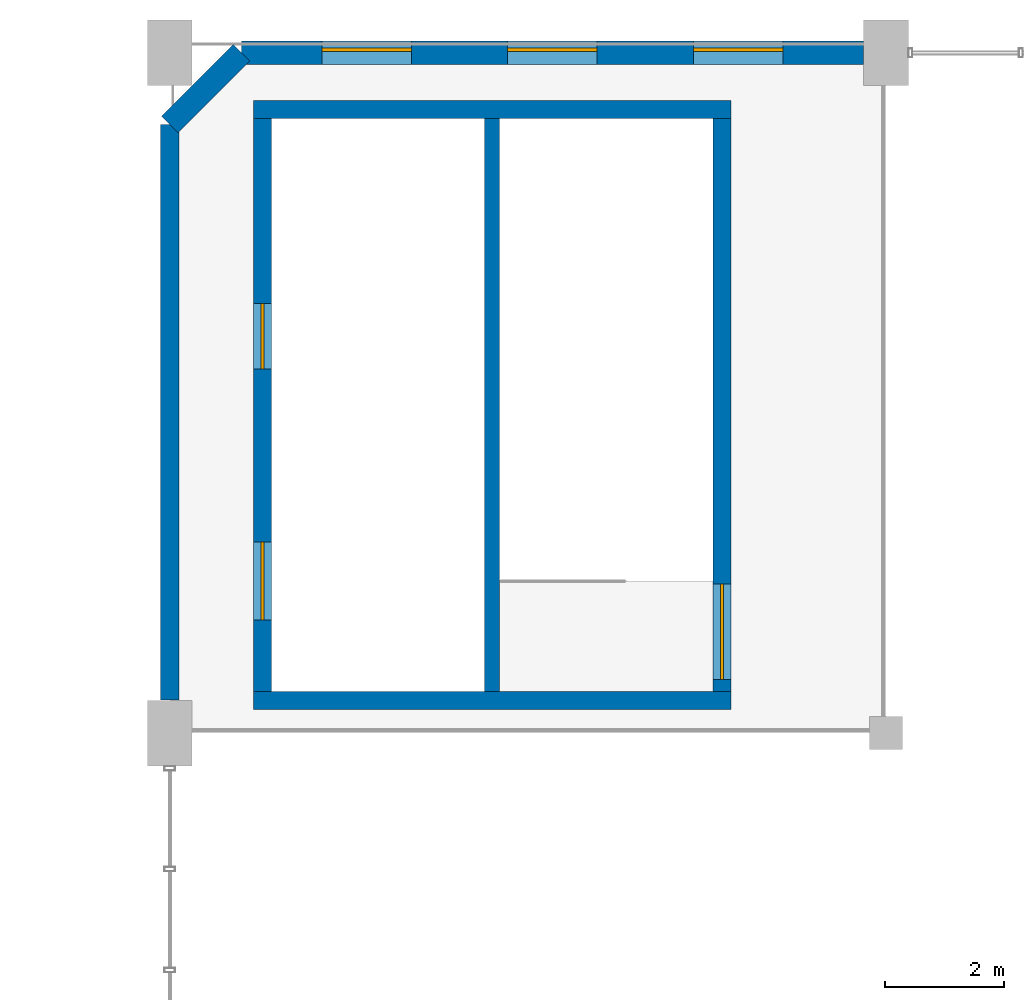
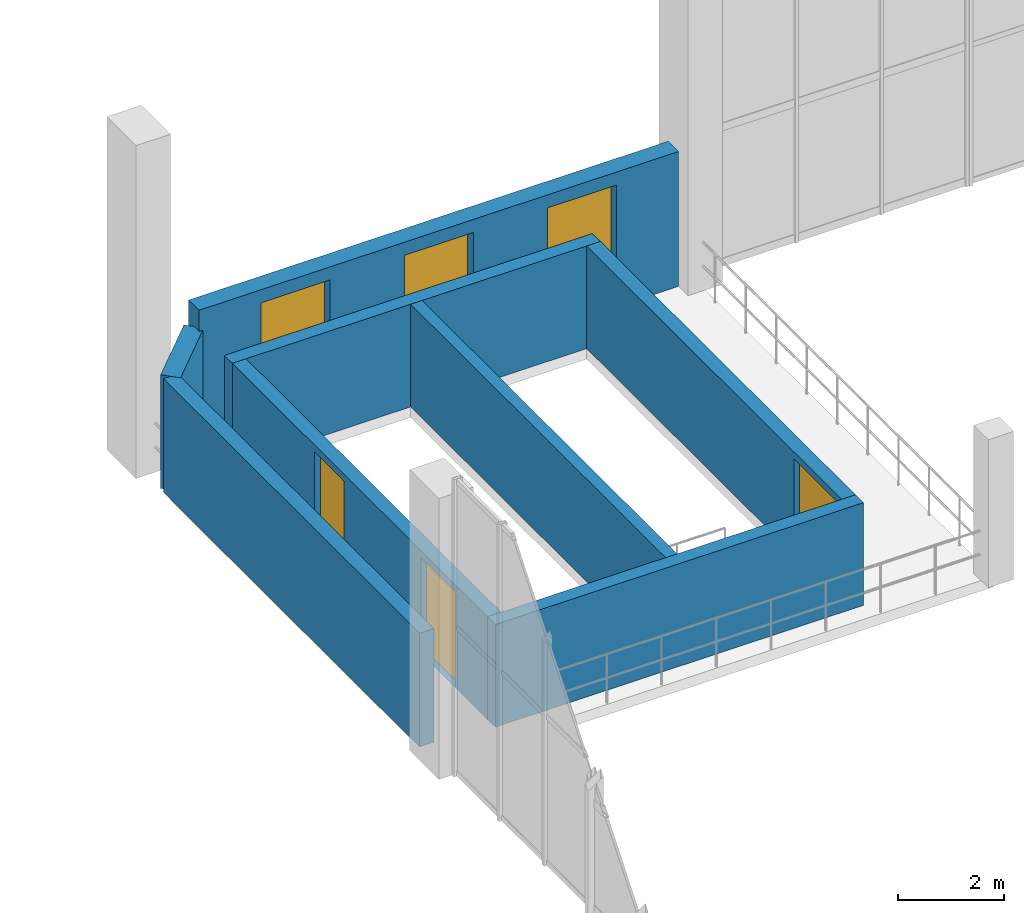
# One storey, part 25 of 28: 8 walls, 3 doors, 3 windows, 6 openings.
"""IFC4 building model written with IfcOpenShell, lengths in metres."""

from ifc_helpers import new_model, si_unit, direction, frame, frame_2d, origin, place, context, subcontext, project, spatial, rectangle, extrude, material, layer, layer_set, type_object, element, fill, save


model = new_model("IFC4")

# Units and contexts
model_context = context("Model", 3, precision=1e-05, world=origin(), true_north=direction((0.0, 1.0)))
body_context = subcontext(model_context, "Body", "Model", "MODEL_VIEW")
ifc_project = project(units=[si_unit("LENGTHUNIT", "METRE"), si_unit("AREAUNIT", "SQUARE_METRE"), si_unit("VOLUMEUNIT", "CUBIC_METRE"), si_unit("PLANEANGLEUNIT", "RADIAN"), si_unit("MASSUNIT", "GRAM", prefix="KILO"), si_unit("POWERUNIT", "WATT"), si_unit("THERMODYNAMICTEMPERATUREUNIT", "KELVIN")], contexts=[model_context])

# Site, building, storey
site_placement = place(None, origin())
site = spatial("IfcSite", under=ifc_project, at=site_placement, CompositionType="ELEMENT")
building_placement = place(site_placement, origin())
building = spatial("IfcBuilding", under=site, at=building_placement, Name="Kelmbourne Parkland Aquatics Centre", CompositionType="ELEMENT")
storey_placement = place(building_placement, frame((0.0, 0.0, 19.199951171875)))
storey = spatial("IfcBuildingStorey", under=building, at=storey_placement, Name="L04", CompositionType="ELEMENT", Elevation=19.199951171875)

# Walls
ifc_material_1 = material(Name="Concrete C40/50", Category="concrete")
ifc_layer_1 = layer(ifc_material_1, 0.25)
ifc_layer_set_1 = layer_set([ifc_layer_1], Name="Concrete C40/50")
wall_type_1 = type_object("IfcWallType", Name="W-CORE-250", PredefinedType="SHEAR", material=ifc_layer_set_1)
wall_1_placement = place(storey_placement, frame((133.39990234375, 104.10009765625, 0.0), z_axis=(0.0, 0.0, 1.0), x_axis=(0.0, 1.0, 0.0)))
element("IfcWall", 1, at=wall_1_placement, inside=storey, type_object=wall_type_1, Name="North Diving Control Fire-Fighting Core divider wall (L04)", PredefinedType="SHEAR", context=body_context, shape_type="SweptSolid", body=[
    extrude(rectangle(XDim=9.599853515625, YDim=0.25, at=frame_2d((4.7998046875, 0.0))), origin(), (0.0, 0.0, 1.0), 2.360107421875),
])
ifc_layer_2 = layer(ifc_material_1, 0.300048828125)
ifc_layer_set_2 = layer_set([ifc_layer_2], Name="Concrete C40/50")
wall_type_2 = type_object("IfcWallType", Name="W-CORE-300", PredefinedType="SHEAR", material=ifc_layer_set_2)
for number, where, z_axis, x_axis, name in (
    (2, (129.39990234375, 103.949951171875, 0.0), (0.0, 0.0, 1.0), (1.0, 0.0, 0.0), "North Diving Control Fire-Fighting Core south wall (L04)"),
    (3, (129.39990234375, 113.85009765625, 0.0), (0.0, 0.0, 1.0), (1.0, 0.0, 0.0), "North Diving Control Fire-Fighting Core north wall (L04)"),
):
    element("IfcWall", number, at=place(storey_placement, frame(where, z_axis=z_axis, x_axis=x_axis)), inside=storey, type_object=wall_type_2, Name=name, PredefinedType="SHEAR", context=body_context, shape_type="SweptSolid", body=[
        extrude(rectangle(XDim=8.0, YDim=0.300048828125, at=frame_2d((4.0, 0.0))), origin(), (0.0, 0.0, 1.0), 2.360107421875),
    ])

# Wall, openings, doors
wall_2_placement = place(storey_placement, frame((129.550048828125, 104.10009765625, 0.0), z_axis=(0.0, 0.0, 1.0), x_axis=(0.0, 1.0, 0.0)))
wall_2 = element("IfcWall", 4, at=wall_2_placement, inside=storey, type_object=wall_type_2, Name="North Diving Control Fire-Fighting Core west wall (L04)", PredefinedType="SHEAR", context=body_context, shape_type="SweptSolid", body=[
    extrude(rectangle(XDim=9.599853515625, YDim=0.300048828125, at=frame_2d((4.7998046875, 0.0))), origin(), (0.0, 0.0, 1.0), 2.360107421875),
])
opening_1_placement = place(wall_2_placement, frame((1.199951171875, 0.0, 0.0)))
opening_1 = element("IfcOpeningElement", 5, at=opening_1_placement, cuts=wall_2, Name="Opening LD02", PredefinedType="OPENING", context=body_context, shape_type="SweptSolid", body=[
    extrude(rectangle(XDim=1.300048828125, YDim=2.199951171875, at=frame_2d((0.64990234375, 1.10009765625))), frame((0.0, 0.162109375, 0.0), z_axis=(0.0, -1.0, 0.0), x_axis=(1.0, 0.0, 0.0)), (0.0, 0.0, 1.0), 0.323974609375),
])
opening_2_placement = place(wall_2_placement, frame((5.39990234375, 0.0, 0.0)))
opening_2 = element("IfcOpeningElement", 6, at=opening_2_placement, cuts=wall_2, Name="Opening LD01", PredefinedType="OPENING", context=body_context, shape_type="SweptSolid", body=[
    extrude(rectangle(XDim=1.10009765625, YDim=2.199951171875, at=frame_2d((0.550048828125, 1.10009765625))), frame((0.0, 0.162109375, 0.0), z_axis=(0.0, -1.0, 0.0), x_axis=(1.0, 0.0, 0.0)), (0.0, 0.0, 1.0), 0.323974609375),
])
ifc_material_2 = material(Name="Marine-grade stainless steel and fire-rated hardwood doorset", Category="steel")
ifc_layer_3 = layer(ifc_material_2, 0.050048828125)
ifc_layer_set_3 = layer_set([ifc_layer_3], Name="Marine-grade stainless steel and fire-rated hardwood doorset")
door_type_1 = type_object("IfcDoorType", Name="DR-LD-110", OperationType="NOTDEFINED", PredefinedType="DOOR", material=ifc_layer_set_3)
door_1_placement = place(opening_2_placement, origin())
door_1 = element("IfcDoor", 7, at=door_1_placement, inside=storey, type_object=door_type_1, Name="Lift landing sliding door LF08 (L04)", OperationType="SLIDING_TO_RIGHT", OverallHeight=2.199951171875, OverallWidth=1.10009765625, PredefinedType="DOOR", context=body_context, shape_type="SweptSolid", body=[
    extrude(rectangle(XDim=1.10009765625, YDim=2.199951171875, at=frame_2d((0.550048828125, 1.10009765625))), frame((0.0, 0.02490234375, 0.0), z_axis=(0.0, -1.0, 0.0), x_axis=(1.0, 0.0, 0.0)), (0.0, 0.0, 1.0), 0.050048828125),
])
fill(opening_2, door_1)
ifc_layer_4 = layer(ifc_material_2, 0.050048828125)
ifc_layer_set_4 = layer_set([ifc_layer_4], Name="Marine-grade stainless steel and fire-rated hardwood doorset")
door_type_2 = type_object("IfcDoorType", Name="DR-LD-130", OperationType="NOTDEFINED", PredefinedType="DOOR", material=ifc_layer_set_4)
door_2_placement = place(opening_1_placement, origin())
door_2 = element("IfcDoor", 8, at=door_2_placement, inside=storey, type_object=door_type_2, Name="Lift landing sliding door LF07 (L04)", OperationType="SLIDING_TO_LEFT", OverallHeight=2.199951171875, OverallWidth=1.300048828125, PredefinedType="DOOR", context=body_context, shape_type="SweptSolid", body=[
    extrude(rectangle(XDim=1.300048828125, YDim=2.199951171875, at=frame_2d((0.64990234375, 1.10009765625))), frame((0.0, 0.02490234375, 0.0), z_axis=(0.0, -1.0, 0.0), x_axis=(1.0, 0.0, 0.0)), (0.0, 0.0, 1.0), 0.050048828125),
])
fill(opening_1, door_2)

# Wall, opening, door
wall_3_placement = place(storey_placement, frame((137.25, 104.10009765625, 0.0), z_axis=(0.0, 0.0, 1.0), x_axis=(0.0, 1.0, 0.0)))
wall_3 = element("IfcWall", 9, at=wall_3_placement, inside=storey, type_object=wall_type_2, Name="North Diving Control Fire-Fighting Core east wall (L04)", PredefinedType="SHEAR", context=body_context, shape_type="SweptSolid", body=[
    extrude(rectangle(XDim=9.599853515625, YDim=0.300048828125, at=frame_2d((4.7998046875, 0.0))), origin(), (0.0, 0.0, 1.0), 2.360107421875),
])
opening_3_placement = place(wall_3_placement, frame((0.199951171875, 0.0, 0.0)))
opening_3 = element("IfcOpeningElement", 10, at=opening_3_placement, cuts=wall_3, Name="Opening FD02", PredefinedType="OPENING", context=body_context, shape_type="SweptSolid", body=[
    extrude(rectangle(XDim=1.60009765625, YDim=2.199951171875, at=frame_2d((0.800048828125, 1.10009765625))), frame((0.0, 0.162109375, 0.0), z_axis=(0.0, -1.0, 0.0), x_axis=(1.0, 0.0, 0.0)), (0.0, 0.0, 1.0), 0.323974609375),
])
ifc_layer_5 = layer(ifc_material_2, 0.050048828125)
ifc_layer_set_5 = layer_set([ifc_layer_5], Name="Marine-grade stainless steel and fire-rated hardwood doorset")
door_type_3 = type_object("IfcDoorType", Name="DR-FD-160", OperationType="NOTDEFINED", PredefinedType="DOOR", material=ifc_layer_set_5)
door_3_placement = place(opening_3_placement, frame((1.60009765625, 0.0, 0.0), z_axis=(0.0, 0.0, 1.0), x_axis=(-1.0, 0.0, 0.0)))
door_3 = element("IfcDoor", 11, at=door_3_placement, inside=storey, type_object=door_type_3, Name="Fire stair door ST05 (L04)", OperationType="DOUBLE_DOOR_SINGLE_SWING", OverallHeight=2.199951171875, OverallWidth=1.60009765625, PredefinedType="DOOR", context=body_context, shape_type="SweptSolid", body=[
    extrude(rectangle(XDim=1.60009765625, YDim=2.199951171875, at=frame_2d((0.800048828125, 1.10009765625))), frame((0.0, 0.02490234375, 0.0), z_axis=(0.0, -1.0, 0.0), x_axis=(1.0, 0.0, 0.0)), (0.0, 0.0, 1.0), 0.050048828125),
])
fill(opening_3, door_3)

# Wall
ifc_material_3 = material(Name="Russet clinker clay brickwork", Category="masonry")
ifc_layer_6 = layer(ifc_material_3, 0.31005859375)
ifc_layer_set_6 = layer_set([ifc_layer_6], Name="Russet clinker clay brickwork")
wall_type_3 = type_object("IfcWallType", Name="W-EXT-310", PredefinedType="STANDARD", material=ifc_layer_set_6)
wall_4_placement = place(storey_placement, frame((128.0, 103.951904296875, 0.0), z_axis=(0.0, 0.0, 1.0), x_axis=(0.0, 1.0, 0.0)))
element("IfcWall", 12, at=wall_4_placement, inside=storey, type_object=wall_type_3, Name="Exterior polychrome brick wall EW-L04-149", PredefinedType="STANDARD", context=body_context, shape_type="SweptSolid", body=[
    extrude(rectangle(XDim=9.648193359375, YDim=0.31005859375, at=frame_2d((4.82421875, 0.0))), origin(), (0.0, 0.0, 1.0), 2.612060546875),
])

# Wall, openings, windows
ifc_layer_7 = layer(ifc_material_3, 0.389892578125)
ifc_layer_set_7 = layer_set([ifc_layer_7], Name="Russet clinker clay brickwork")
wall_type_4 = type_object("IfcWallType", Name="W-EXT-390", PredefinedType="STANDARD", material=ifc_layer_set_7)
wall_5_placement = place(storey_placement, frame((129.199951171875, 114.800048828125, 0.0), z_axis=(0.0, 0.0, 1.0), x_axis=(1.0, 0.0, 0.0)))
wall_5 = element("IfcWall", 13, at=wall_5_placement, inside=storey, type_object=wall_type_4, Name="Exterior polychrome brick wall EW-L04-150", PredefinedType="STANDARD", context=body_context, shape_type="SweptSolid", body=[
    extrude(rectangle(XDim=10.423095703125, YDim=0.389892578125, at=frame_2d((5.21142578125, 0.0))), origin(), (0.0, 0.0, 1.0), 3.10009765625),
])
opening_4_placement = place(wall_5_placement, frame((1.35009765625, 0.0, 0.75)))
opening_4 = element("IfcOpeningElement", 14, at=opening_4_placement, cuts=wall_5, Name="Opening W09", PredefinedType="OPENING", context=body_context, shape_type="SweptSolid", body=[
    extrude(rectangle(XDim=1.5, YDim=2.050048828125, at=frame_2d((0.75, 1.02490234375))), frame((0.0, 0.20703125, 0.0), z_axis=(0.0, -1.0, 0.0), x_axis=(1.0, 0.0, 0.0)), (0.0, 0.0, 1.0), 0.413818359375),
])
opening_5_placement = place(wall_5_placement, frame((4.46142578125, 0.0, 0.75)))
opening_5 = element("IfcOpeningElement", 15, at=opening_5_placement, cuts=wall_5, Name="Opening W09", PredefinedType="OPENING", context=body_context, shape_type="SweptSolid", body=[
    extrude(rectangle(XDim=1.5, YDim=2.050048828125, at=frame_2d((0.75, 1.02490234375))), frame((0.0, 0.20703125, 0.0), z_axis=(0.0, -1.0, 0.0), x_axis=(1.0, 0.0, 0.0)), (0.0, 0.0, 1.0), 0.413818359375),
])
opening_6_placement = place(wall_5_placement, frame((7.572998046875, 0.0, 0.75)))
opening_6 = element("IfcOpeningElement", 16, at=opening_6_placement, cuts=wall_5, Name="Opening W09", PredefinedType="OPENING", context=body_context, shape_type="SweptSolid", body=[
    extrude(rectangle(XDim=1.5, YDim=2.050048828125, at=frame_2d((0.75, 1.02490234375))), frame((0.0, 0.20703125, 0.0), z_axis=(0.0, -1.0, 0.0), x_axis=(1.0, 0.0, 0.0)), (0.0, 0.0, 1.0), 0.413818359375),
])
ifc_material_4 = material(Name="Thermally broken anodised aluminium window with low-e glass", Category="aluminium")
ifc_layer_8 = layer(ifc_material_4, 0.090087890625)
ifc_layer_set_8 = layer_set([ifc_layer_8], Name="Thermally broken anodised aluminium window with low-e glass")
window_type = type_object("IfcWindowType", Name="WN-09", PartitioningType="DOUBLE_PANEL_VERTICAL", PredefinedType="WINDOW", material=ifc_layer_set_8)
window_1_placement = place(opening_4_placement, origin())
window_1 = element("IfcWindow", 17, at=window_1_placement, inside=storey, type_object=window_type, Name="Deep-reveal masonry window W09", OverallHeight=2.050048828125, OverallWidth=1.5, PartitioningType="DOUBLE_PANEL_VERTICAL", PredefinedType="WINDOW", context=body_context, shape_type="SweptSolid", body=[
    extrude(rectangle(XDim=1.5, YDim=2.050048828125, at=frame_2d((0.75, 1.02490234375))), frame((0.0, 0.080078125, 0.0), z_axis=(0.0, -1.0, 0.0), x_axis=(1.0, 0.0, 0.0)), (0.0, 0.0, 1.0), 0.06005859375),
])
fill(opening_4, window_1)
window_2_placement = place(opening_5_placement, origin())
window_2 = element("IfcWindow", 18, at=window_2_placement, inside=storey, type_object=window_type, Name="Deep-reveal masonry window W09", OverallHeight=2.050048828125, OverallWidth=1.5, PartitioningType="DOUBLE_PANEL_VERTICAL", PredefinedType="WINDOW", context=body_context, shape_type="SweptSolid", body=[
    extrude(rectangle(XDim=1.5, YDim=2.050048828125, at=frame_2d((0.75, 1.02490234375))), frame((0.0, 0.080078125, 0.0), z_axis=(0.0, -1.0, 0.0), x_axis=(1.0, 0.0, 0.0)), (0.0, 0.0, 1.0), 0.06005859375),
])
fill(opening_5, window_2)
window_3_placement = place(opening_6_placement, origin())
window_3 = element("IfcWindow", 19, at=window_3_placement, inside=storey, type_object=window_type, Name="Deep-reveal masonry window W09", OverallHeight=2.050048828125, OverallWidth=1.5, PartitioningType="DOUBLE_PANEL_VERTICAL", PredefinedType="WINDOW", context=body_context, shape_type="SweptSolid", body=[
    extrude(rectangle(XDim=1.5, YDim=2.050048828125, at=frame_2d((0.75, 1.02490234375))), frame((0.0, 0.080078125, 0.0), z_axis=(0.0, -1.0, 0.0), x_axis=(1.0, 0.0, 0.0)), (0.0, 0.0, 1.0), 0.06005859375),
])
fill(opening_6, window_3)

# Wall
wall_6_placement = place(storey_placement, frame((128.0, 113.60009765625, 0.0), z_axis=(0.0, 0.0, 1.0), x_axis=(0.707106781187, 0.707106781187, 0.0)))
element("IfcWall", 20, at=wall_6_placement, inside=storey, type_object=wall_type_4, Name="Stepped brick corner bevel CHAM-L04-V2", PredefinedType="STANDARD", context=body_context, shape_type="SweptSolid", body=[
    extrude(rectangle(XDim=1.697021484375, YDim=0.389892578125, at=frame_2d((0.8486328125, 0.0))), origin(), (0.0, 0.0, 1.0), 2.612060546875),
])

save(model, "model.ifc")
